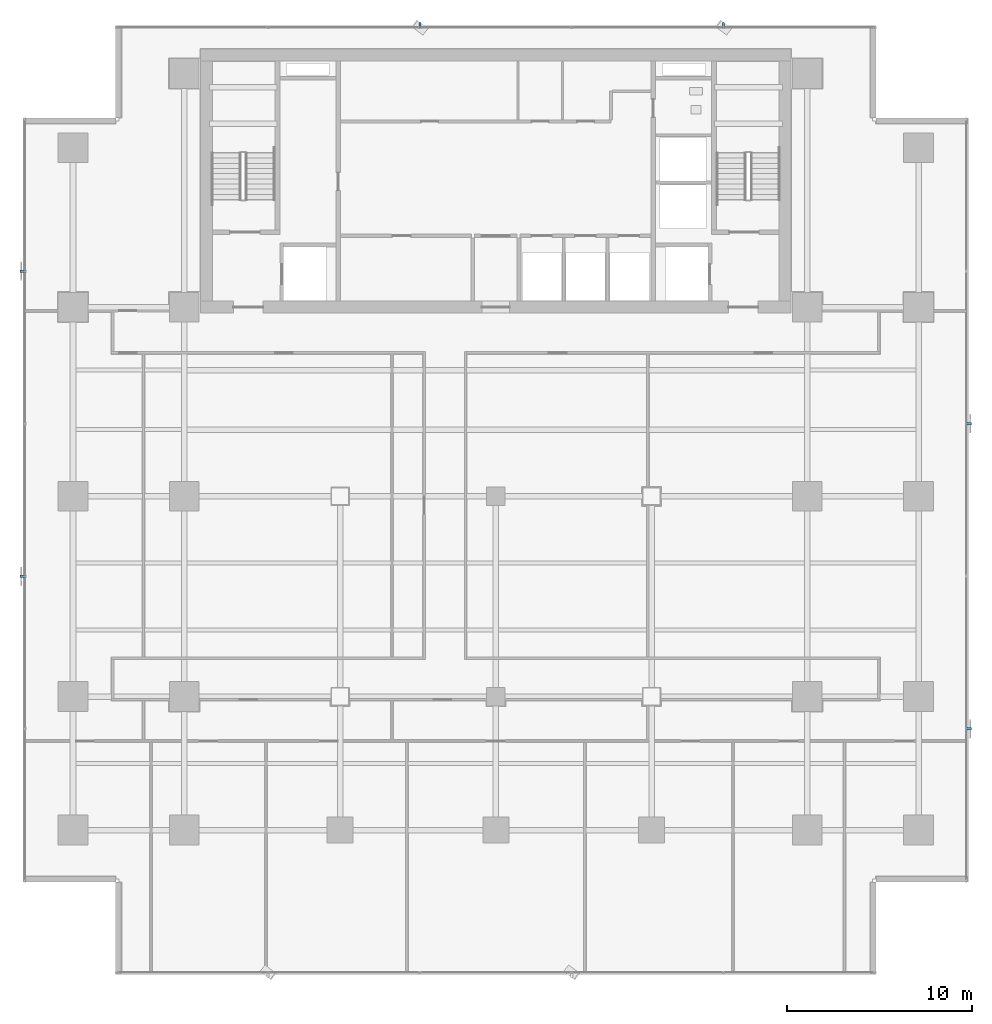
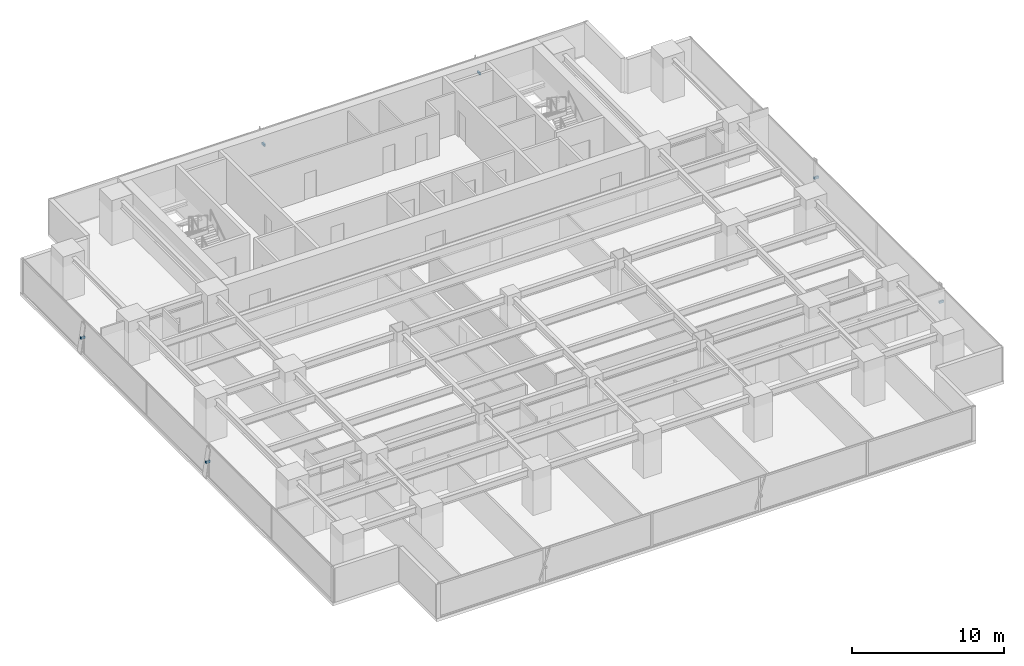
# One storey, part 31 of 36: 6 discrete accessories.
"""IFC4 building model written with IfcOpenShell, lengths in metres."""

from ifc_helpers import new_model, si_unit, direction, frame, origin, origin_2d, place, context, subcontext, project, spatial, rectangle, extrude, source, transform, mapped, material, material_profile, profile_set, type_object, element, save


model = new_model("IFC4")

# Units and contexts
model_context = context("Model", 3, precision=1e-05, world=origin(), true_north=direction((0.0, 1.0)))
body_context = subcontext(model_context, "Body", "Model", "MODEL_VIEW")
ifc_project = project(units=[si_unit("LENGTHUNIT", "METRE"), si_unit("AREAUNIT", "SQUARE_METRE"), si_unit("VOLUMEUNIT", "CUBIC_METRE"), si_unit("PLANEANGLEUNIT", "RADIAN"), si_unit("MASSUNIT", "GRAM", prefix="KILO")], contexts=[model_context])

# Site, building, storey
site_placement = place(None, origin())
site = spatial("IfcSite", under=ifc_project, at=site_placement, CompositionType="ELEMENT")
building_placement = place(site_placement, origin())
building = spatial("IfcBuilding", under=site, at=building_placement, Name="Sumidabori Civic Tower", CompositionType="ELEMENT")
storey_placement = place(building_placement, frame((0.0, 0.0, 84.800048828125)))
storey = spatial("IfcBuildingStorey", under=building, at=storey_placement, Name="L21", CompositionType="ELEMENT", Elevation=84.800048828125)

# Discrete accessories
ifc_material = material(Name="Stainless Steel Hairline Finish", Category="steel")
ifc_material_profile = material_profile(ifc_material, rectangle(XDim=0.1201171875, YDim=0.179931640625, at=origin_2d()), Name="STEEL BRACKET 180x120")
ifc_profile_set = profile_set([ifc_material_profile], Name="Stainless Steel Hairline Finish")
discrete_accessory_type = type_object("IfcDiscreteAccessoryType", Name="AC-BRK-180", PredefinedType="BRACKET", material=ifc_profile_set)
shared_shape_1 = source(origin(), body_context, "Body", "SweptSolid", [
    extrude(rectangle(XDim=0.1201171875, YDim=0.179931640625, at=origin_2d()), origin(), (0.0, 0.0, 1.0), 0.329833984375),
])
for number, where, z_axis, x_axis, name in (
    (1, (25.330078125, -12.5419921875, 1.35986328125), (1.0, 0.0, 0.0), (0.0, 1.0, 0.0), "Bronze Fin Fixing Bracket L21-01"),
    (2, (25.330078125, 3.9140625, 1.35986328125), (1.0, 0.0, 0.0), (0.0, 1.0, 0.0), "Bronze Fin Fixing Bracket L21-03"),
    (3, (-25.330078125, 12.14208984375, 1.35986328125), (-1.0, 0.0, 0.0), (0.0, -1.0, 0.0), "Bronze Fin Fixing Bracket L21-01"),
    (4, (-25.330078125, -4.31396484375, 1.35986328125), (-1.0, 0.0, 0.0), (0.0, -1.0, 0.0), "Bronze Fin Fixing Bracket L21-03"),
):
    element("IfcDiscreteAccessory", number, at=place(storey_placement, frame(where, z_axis=z_axis, x_axis=x_axis)), inside=storey, type_object=discrete_accessory_type, Name=name, PredefinedType="BRACKET", context=body_context, shape_type="MappedRepresentation", body=[
        mapped(shared_shape_1, transform((0.0, 0.0, 0.0), x_axis=(1.0, 0.0, 0.0), y_axis=(0.0, 1.0, 0.0), z_axis=(0.0, 0.0, 1.0), scale=1.0)),
    ])
shared_shape_2 = source(origin(), body_context, "Body", "SweptSolid", [
    extrude(rectangle(XDim=0.1201171875, YDim=0.179931640625, at=origin_2d()), origin(), (0.0, 0.0, 1.0), 0.330078125),
])
for number, where, z_axis, x_axis, name in (
    (5, (12.281982421875, 25.22998046875, 1.35986328125), (0.0, 1.0, 0.0), (-1.0, 0.0, 0.0), "Bronze Fin Fixing Bracket L21-01"),
    (6, (-4.093994140625, 25.22998046875, 1.35986328125), (0.0, 1.0, 0.0), (-1.0, 0.0, 0.0), "Bronze Fin Fixing Bracket L21-03"),
):
    element("IfcDiscreteAccessory", number, at=place(storey_placement, frame(where, z_axis=z_axis, x_axis=x_axis)), inside=storey, type_object=discrete_accessory_type, Name=name, PredefinedType="BRACKET", context=body_context, shape_type="MappedRepresentation", body=[
        mapped(shared_shape_2, transform((0.0, 0.0, 0.0), x_axis=(1.0, 0.0, 0.0), y_axis=(0.0, 1.0, 0.0), z_axis=(0.0, 0.0, 1.0), scale=1.0)),
    ])

save(model, "model.ifc")
